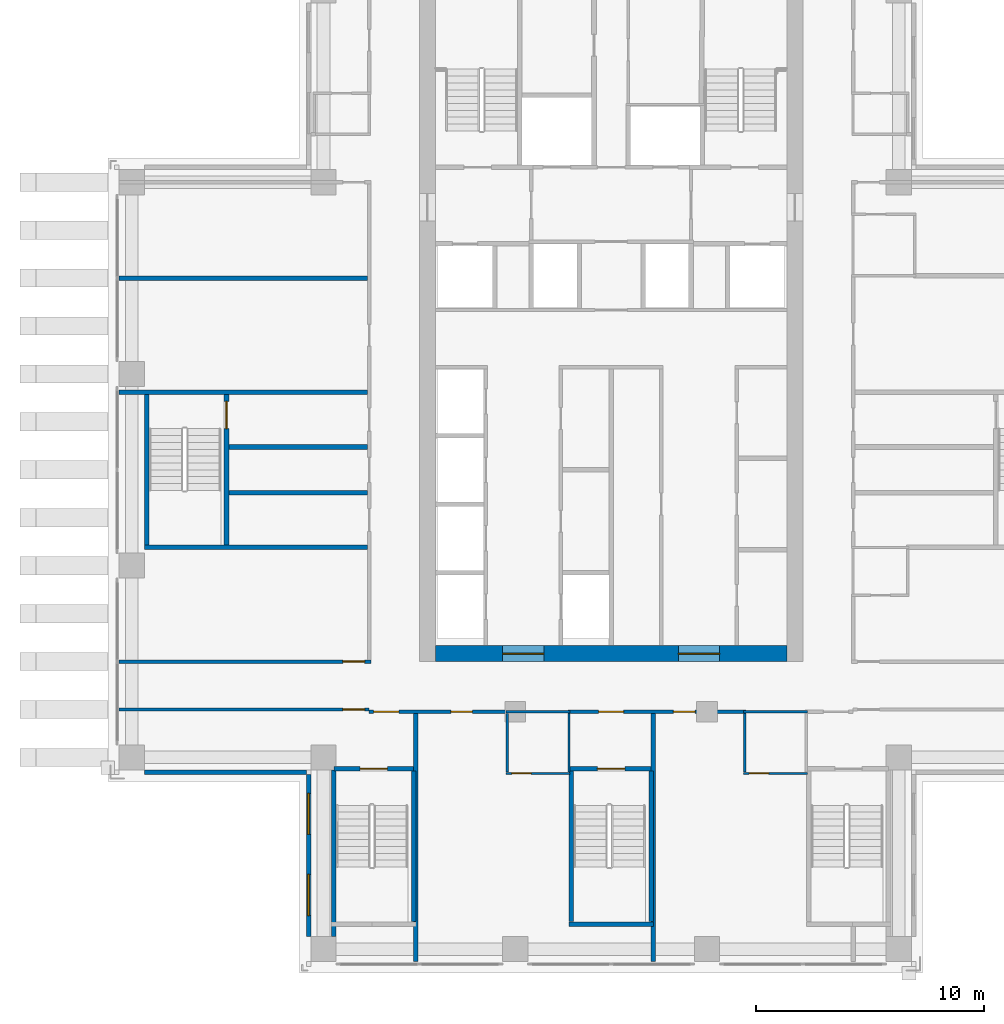
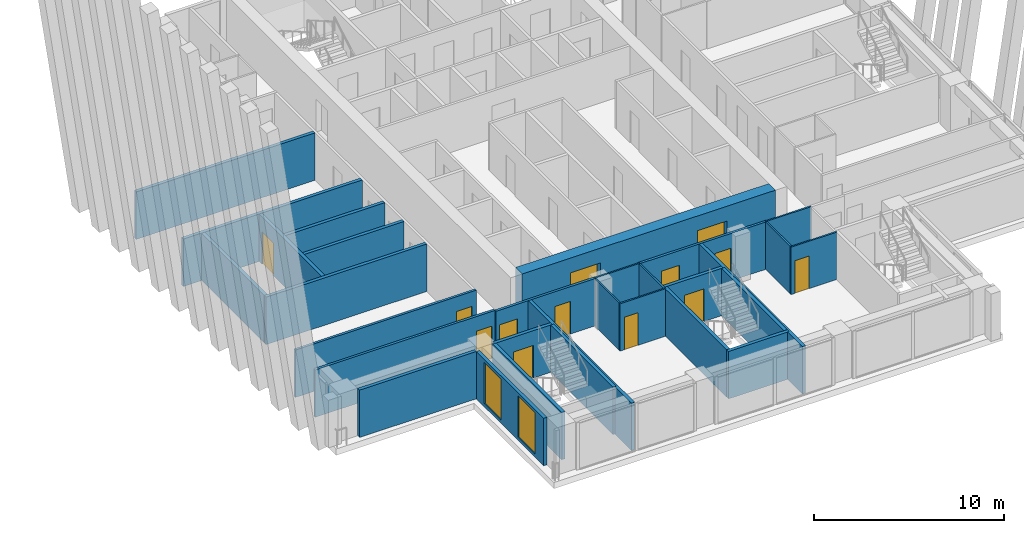
# One storey, part 8 of 15: 30 walls, 13 doors, 2 windows, 15 openings.
"""IFC4 building model written with IfcOpenShell, lengths in metres."""

import ifcopenshell
import ifcopenshell.guid

model = None  # the IFC model being written
_history = None  # IfcOwnerHistory: only IFC2X3 demands one
_inside = {}  # id of a spatial element -> (the spatial element, [elements in it])
_under = {}  # id of a project, library or spatial element -> (it, [spatial elements below it])
_declared = {}  # id of a project -> (the project, [libraries it declares])
_typed = {}  # id of a type object -> (the type object, [elements of that type])
_made_of = {}  # id of a material, layer set ... -> (it, [elements and type objects made of it])


def new_model(schema):
    """Start an empty IFC model of exactly this schema.

    Asked for "IFC4X3", IfcOpenShell would pick the latest addendum, in which some entities
    have other attributes; the version numbers below select the first issue.
    IFC2X3 requires an IfcOwnerHistory on every rooted entity: one is made here for all.
    """
    global model, _history
    if schema == "IFC4X3":
        model = ifcopenshell.file(schema_version=(4, 3, 0, 0))
    else:
        model = ifcopenshell.file(schema=schema)
    _inside.clear()
    _under.clear()
    _declared.clear()
    _typed.clear()
    _made_of.clear()
    _history = None
    if model.schema == "IFC2X3":
        org = make("IfcOrganization", Name="unknown")
        user = make(
            "IfcPersonAndOrganization",
            ThePerson=make("IfcPerson", FamilyName="unknown"),
            TheOrganization=org,
        )
        app = make(
            "IfcApplication",
            ApplicationDeveloper=org,
            Version="unknown",
            ApplicationFullName="unknown",
            ApplicationIdentifier="unknown",
        )
        _history = make(
            "IfcOwnerHistory",
            OwningUser=user,
            OwningApplication=app,
            ChangeAction="ADDED",
            CreationDate=0,
        )
    return model


def make(cls, **values):
    """One entity of the class cls with the attributes given. An attribute that is None is left unset."""
    return model.create_entity(
        cls, **{name: value for name, value in values.items() if value is not None}
    )


def rooted(cls, **values):
    """An entity with a GlobalId (a new one), such as an element, a storey or a relation."""
    return make(cls, GlobalId=ifcopenshell.guid.new(), OwnerHistory=_history, **values)


def si_unit(unit_type, name, prefix=None):
    """IfcSIUnit, for example si_unit("LENGTHUNIT", "METRE", prefix="MILLI")."""
    return make("IfcSIUnit", UnitType=unit_type, Prefix=prefix, Name=name)


def assignment(units):
    """IfcUnitAssignment: the units of a project."""
    return None if units is None else make("IfcUnitAssignment", Units=units)


def point(xyz):
    """IfcCartesianPoint."""
    return None if xyz is None else make("IfcCartesianPoint", Coordinates=xyz)


def direction(xyz):
    """IfcDirection."""
    return None if xyz is None else make("IfcDirection", DirectionRatios=xyz)


def frame(location, z_axis=None, x_axis=None):
    """IfcAxis2Placement3D, a coordinate frame: its origin and axes. An axis left out is left unset."""
    return make(
        "IfcAxis2Placement3D",
        Location=point(location),
        Axis=direction(z_axis),
        RefDirection=direction(x_axis),
    )


def frame_2d(location, x_axis=None):
    """IfcAxis2Placement2D, a coordinate frame in the plane: its origin and x axis."""
    return make(
        "IfcAxis2Placement2D", Location=point(location), RefDirection=direction(x_axis)
    )


def origin():
    """The frame at (0, 0, 0) with its axes left unset."""
    return frame((0.0, 0.0, 0.0))


def place(relative_to, where):
    """IfcLocalPlacement: puts the frame where relative to a parent placement (None: the world)."""
    return make(
        "IfcLocalPlacement", PlacementRelTo=relative_to, RelativePlacement=where
    )


def context(
    kind, dimensions, precision=None, world=None, true_north=None, identifier=None
):
    """IfcGeometricRepresentationContext, for example the 3D "Model" context."""
    return make(
        "IfcGeometricRepresentationContext",
        ContextIdentifier=identifier,
        ContextType=kind,
        CoordinateSpaceDimension=dimensions,
        Precision=precision,
        WorldCoordinateSystem=world,
        TrueNorth=true_north,
    )


def subcontext(parent, identifier, kind, view, scale=None):
    """IfcGeometricRepresentationSubContext, for example "Body" below "Model"."""
    return make(
        "IfcGeometricRepresentationSubContext",
        ContextIdentifier=identifier,
        ContextType=kind,
        ParentContext=parent,
        TargetScale=scale,
        TargetView=view,
    )


def project(units=None, contexts=None):
    """IfcProject with its units and contexts."""
    return rooted(
        "IfcProject",
        Name="project",
        RepresentationContexts=contexts,
        UnitsInContext=assignment(units),
    )


def spatial(cls, under=None, at=None, **own):
    """A site, building, storey or space (cls), placed at a placement, below another one or the project."""
    s = rooted(cls, ObjectPlacement=at, **own)
    if under is not None:
        _under.setdefault(under.id(), (under, []))[1].append(s)
    return s


def profile(cls, at=None, kind="AREA", **sizes):
    """A parametric profile (cls). Its sizes go by their IFC names, for example OverallWidth=200.0."""
    return make(cls, ProfileType=kind, Position=at, **sizes)


def rectangle(**sizes):
    """IfcRectangleProfileDef."""
    return profile("IfcRectangleProfileDef", **sizes)


def extrude(swept, where, along, depth):
    """IfcExtrudedAreaSolid: the profile swept, set in the frame where, extruded along a direction by depth."""
    return make(
        "IfcExtrudedAreaSolid",
        SweptArea=swept,
        Position=where,
        ExtrudedDirection=direction(along),
        Depth=depth,
    )


def shape(context_of_items, identifier, shape_type, items):
    """IfcShapeRepresentation: the items that make up one representation, for example the "Body"."""
    return make(
        "IfcShapeRepresentation",
        ContextOfItems=context_of_items,
        RepresentationIdentifier=identifier,
        RepresentationType=shape_type,
        Items=items,
    )


def material(Name=None, Category=None):
    """IfcMaterial."""
    return make("IfcMaterial", Name=Name, Category=Category)


def layer(
    of_material, thickness, ventilated=None, Name=None, Category=None, Priority=None
):
    """IfcMaterialLayer: one layer of a wall or slab, of a material (None: an air gap)."""
    return make(
        "IfcMaterialLayer",
        Material=of_material,
        LayerThickness=thickness,
        IsVentilated=ventilated,
        Name=Name,
        Category=Category,
        Priority=Priority,
    )


def layer_set(layers, Name=None):
    """IfcMaterialLayerSet."""
    return make("IfcMaterialLayerSet", MaterialLayers=layers, LayerSetName=Name)


def made_of(thing, what):
    """Note that an element or type object is made of a material, layer set ...; save() writes the relation."""
    if what is not None:
        _made_of.setdefault(what.id(), (what, []))[1].append(thing)
    return thing


def type_object(cls, material=None, **own):
    """A type object (cls), such as IfcWallType, which elements share."""
    return made_of(rooted(cls, **own), material)


def element(
    cls,
    number,
    at=None,
    inside=None,
    cuts=None,
    type_object=None,
    material=None,
    context=None,
    identifier="Body",
    shape_type=None,
    held_by="IfcProductDefinitionShape",
    body=None,
    shapes=None,
    **own,
):
    """One element of the class cls, such as IfcWall. Its Tag is "e" and its number.

    at: its placement. inside: the storey or other place that contains it. cuts: it is an
    opening in that element (IfcRelVoidsElement). A single representation is given by context,
    identifier, shape_type and body (its items); several are given by shapes. held_by: the class
    of the entity that holds the representations. save() writes the other relations.
    """
    e = rooted(cls, Tag="e%d" % number, ObjectPlacement=at, **own)
    if body is not None:
        shapes = [shape(context, identifier, shape_type, body)]
    if shapes is not None:
        e.Representation = make(held_by, Representations=shapes)
    if inside is not None:
        _inside.setdefault(inside.id(), (inside, []))[1].append(e)
    if cuts is not None:
        rooted(
            "IfcRelVoidsElement", RelatingBuildingElement=cuts, RelatedOpeningElement=e
        )
    if type_object is not None:
        _typed.setdefault(type_object.id(), (type_object, []))[1].append(e)
    return made_of(e, material)


def fill(opening, filler):
    """IfcRelFillsElement: the door or window that sits in an opening."""
    return rooted(
        "IfcRelFillsElement",
        RelatingOpeningElement=opening,
        RelatedBuildingElement=filler,
    )


def aggregate(whole, parts):
    """IfcRelAggregates: a whole, such as a stair, and the parts it consists of."""
    return rooted("IfcRelAggregates", RelatingObject=whole, RelatedObjects=parts)


def save(model, path):
    """Write the relations noted so far, then the file.

    IfcRelAggregates (storeys below a building ...), IfcRelContainedInSpatialStructure (elements
    in a storey), IfcRelDefinesByType, IfcRelAssociatesMaterial and IfcRelDeclares: one each for
    every whole, place, type object, material and project.
    """
    for whole, parts in _under.values():
        aggregate(whole, parts)
    for where, things in _inside.values():
        rooted(
            "IfcRelContainedInSpatialStructure",
            RelatedElements=things,
            RelatingStructure=where,
        )
    for kind, things in _typed.values():
        rooted("IfcRelDefinesByType", RelatedObjects=things, RelatingType=kind)
    for what, things in _made_of.values():
        rooted("IfcRelAssociatesMaterial", RelatedObjects=things, RelatingMaterial=what)
    for by, libraries in _declared.values():
        rooted("IfcRelDeclares", RelatingContext=by, RelatedDefinitions=libraries)
    model.write(path)


model = new_model("IFC4")

# Units and contexts
model_context = context("Model", 3, precision=1e-05, world=origin(), true_north=direction((0.0, 1.0)))
body_context = subcontext(model_context, "Body", "Model", "MODEL_VIEW")
ifc_project = project(units=[si_unit("LENGTHUNIT", "METRE"), si_unit("AREAUNIT", "SQUARE_METRE"), si_unit("VOLUMEUNIT", "CUBIC_METRE"), si_unit("PLANEANGLEUNIT", "RADIAN"), si_unit("MASSUNIT", "GRAM", prefix="KILO")], contexts=[model_context])

# Site, building, storey
site_placement = place(None, origin())
site = spatial("IfcSite", under=ifc_project, at=site_placement, CompositionType="ELEMENT")
building_placement = place(site_placement, origin())
building = spatial("IfcBuilding", under=site, at=building_placement, Name="Vermilion Ogive Tower", CompositionType="ELEMENT")
storey_placement = place(building_placement, frame((0.0, 0.0, 153.800048828125)))
storey = spatial("IfcBuildingStorey", under=building, at=storey_placement, Name="L39", CompositionType="ELEMENT", Elevation=153.800048828125)

# Wall, openings, doors
ifc_material_1 = material(Name="Concrete B60", Category="concrete")
ifc_layer_1 = layer(ifc_material_1, 0.699951171875)
ifc_layer_set_1 = layer_set([ifc_layer_1], Name="Core wall 700 B60")
wall_type_1 = type_object("IfcWallType", Name="Core wall 700 B60", PredefinedType="SHEAR", material=ifc_layer_set_1)
wall_1_placement = place(storey_placement, frame((-7.699951171875, -8.050048828125, -0.400146484375), z_axis=(0.0, 0.0, 1.0), x_axis=(1.0, 0.0, 0.0)))
wall_1 = element("IfcWall", 1, at=wall_1_placement, inside=storey, type_object=wall_type_1, Name="L39-CORE-S", PredefinedType="SHEAR", context=body_context, shape_type="SweptSolid", body=[
    extrude(rectangle(XDim=15.39990234375, YDim=0.699951171875, at=frame_2d((7.699951171875, 0.0))), origin(), (0.0, 0.0, 1.0), 3.4501953125),
])
opening_1_placement = place(wall_1_placement, frame((2.949951171875, 0.0, 0.39990234375)))
opening_1 = element("IfcOpeningElement", 2, at=opening_1_placement, cuts=wall_1, Name="Opening DAH029", PredefinedType="OPENING", context=body_context, shape_type="SweptSolid", body=[
    extrude(rectangle(XDim=1.800048828125, YDim=2.10009765625, at=frame_2d((0.89990234375, 1.050048828125))), frame((0.0, 0.35986328125, 0.0), z_axis=(0.0, -1.0, 0.0), x_axis=(1.0, 0.0, 0.0)), (0.0, 0.0, 1.0), 0.719970703125),
])
opening_2_placement = place(wall_1_placement, frame((10.64990234375, 0.0, 0.39990234375)))
opening_2 = element("IfcOpeningElement", 3, at=opening_2_placement, cuts=wall_1, Name="Opening DAH030", PredefinedType="OPENING", context=body_context, shape_type="SweptSolid", body=[
    extrude(rectangle(XDim=1.800048828125, YDim=2.10009765625, at=frame_2d((0.89990234375, 1.050048828125))), frame((0.0, 0.35986328125, 0.0), z_axis=(0.0, -1.0, 0.0), x_axis=(1.0, 0.0, 0.0)), (0.0, 0.0, 1.0), 0.719970703125),
])
ifc_material_2 = material(Name="Timber door leaf", Category="wood")
door_type_1 = type_object("IfcDoorType", Name="Core entry door 1800 x 2100 FD60S", OperationType="DOUBLE_DOOR_SINGLE_SWING", PredefinedType="DOOR", material=ifc_material_2)
door_1_placement = place(opening_1_placement, origin())
door_1 = element("IfcDoor", 4, at=door_1_placement, inside=storey, type_object=door_type_1, Name="L39-CK-XD1", OperationType="SINGLE_SWING_LEFT", OverallHeight=2.10009765625, OverallWidth=1.800048828125, PredefinedType="DOOR", context=body_context, shape_type="SweptSolid", body=[
    extrude(rectangle(XDim=1.800048828125, YDim=2.10009765625, at=frame_2d((0.89990234375, 1.050048828125))), frame((0.0, 0.02490234375, 0.0), z_axis=(0.0, -1.0, 0.0), x_axis=(1.0, 0.0, 0.0)), (0.0, 0.0, 1.0), 0.050048828125),
])
fill(opening_1, door_1)
door_2_placement = place(opening_2_placement, origin())
door_2 = element("IfcDoor", 5, at=door_2_placement, inside=storey, type_object=door_type_1, Name="L39-CK-XD2", OperationType="SINGLE_SWING_LEFT", OverallHeight=2.10009765625, OverallWidth=1.800048828125, PredefinedType="DOOR", context=body_context, shape_type="SweptSolid", body=[
    extrude(rectangle(XDim=1.800048828125, YDim=2.10009765625, at=frame_2d((0.89990234375, 1.050048828125))), frame((0.0, 0.02490234375, 0.0), z_axis=(0.0, -1.0, 0.0), x_axis=(1.0, 0.0, 0.0)), (0.0, 0.0, 1.0), 0.050048828125),
])
fill(opening_2, door_2)

# Wall, opening, door
ifc_material_3 = material(Name="Gypsum board partition on steel studs", Category="steel")
ifc_layer_2 = layer(ifc_material_3, 0.10009765625)
ifc_layer_set_2 = layer_set([ifc_layer_2], Name="Partition 100 bath")
wall_type_2 = type_object("IfcWallType", Name="Partition 100 bath", PredefinedType="PARTITIONING", material=ifc_layer_set_2)
wall_2_placement = place(storey_placement, frame((-4.597900390625, -13.300048828125, 0.0), z_axis=(0.0, 0.0, 1.0), x_axis=(1.0, 0.0, 0.0)))
wall_2 = element("IfcWall", 6, at=wall_2_placement, inside=storey, type_object=wall_type_2, Name="L39-W-W004", PredefinedType="PARTITIONING", context=body_context, shape_type="SweptSolid", body=[
    extrude(rectangle(XDim=2.7958984375, YDim=0.10009765625, at=frame_2d((1.39794921875, 0.0))), origin(), (0.0, 0.0, 1.0), 3.050048828125),
])
opening_3_placement = place(wall_2_placement, frame((0.247802734375, 0.0, 0.0)))
opening_3 = element("IfcOpeningElement", 7, at=opening_3_placement, cuts=wall_2, Name="Opening D3G3008", PredefinedType="OPENING", context=body_context, shape_type="SweptSolid", body=[
    extrude(rectangle(XDim=0.85009765625, YDim=2.10009765625, at=frame_2d((0.425048828125, 1.050048828125))), frame((0.0, 0.06005859375, 0.0), z_axis=(0.0, -1.0, 0.0), x_axis=(1.0, 0.0, 0.0)), (0.0, 0.0, 1.0), 0.1201171875),
])
ifc_material_4 = material(Name="Timber door leaf", Category="wood")
door_type_2 = type_object("IfcDoorType", Name="Bath door 850 x 2100 FD30", OperationType="SINGLE_SWING_LEFT", PredefinedType="DOOR", material=ifc_material_4)
door_3_placement = place(opening_3_placement, origin())
door_3 = element("IfcDoor", 8, at=door_3_placement, inside=storey, type_object=door_type_2, Name="L39-D-D008", OperationType="SINGLE_SWING_LEFT", OverallHeight=2.10009765625, OverallWidth=0.85009765625, PredefinedType="DOOR", context=body_context, shape_type="SweptSolid", body=[
    extrude(rectangle(XDim=0.85009765625, YDim=2.10009765625, at=frame_2d((0.425048828125, 1.050048828125))), frame((0.0, 0.02490234375, 0.0), z_axis=(0.0, -1.0, 0.0), x_axis=(1.0, 0.0, 0.0)), (0.0, 0.0, 1.0), 0.050048828125),
])
fill(opening_3, door_3)

wall_3_placement = place(storey_placement, frame((5.802001953125, -13.300048828125, 0.0), z_axis=(0.0, 0.0, 1.0), x_axis=(1.0, 0.0, 0.0)))
wall_3 = element("IfcWall", 9, at=wall_3_placement, inside=storey, type_object=wall_type_2, Name="L39-W-W005", PredefinedType="PARTITIONING", context=body_context, shape_type="SweptSolid", body=[
    extrude(rectangle(XDim=2.7958984375, YDim=0.10009765625, at=frame_2d((1.39794921875, 0.0))), origin(), (0.0, 0.0, 1.0), 3.050048828125),
])
opening_4_placement = place(wall_3_placement, frame((0.248046875, 0.0, 0.0)))
opening_4 = element("IfcOpeningElement", 10, at=opening_4_placement, cuts=wall_3, Name="Opening D3G3010", PredefinedType="OPENING", context=body_context, shape_type="SweptSolid", body=[
    extrude(rectangle(XDim=0.85009765625, YDim=2.10009765625, at=frame_2d((0.425048828125, 1.050048828125))), frame((0.0, 0.06005859375, 0.0), z_axis=(0.0, -1.0, 0.0), x_axis=(1.0, 0.0, 0.0)), (0.0, 0.0, 1.0), 0.1201171875),
])
door_4_placement = place(opening_4_placement, origin())
door_4 = element("IfcDoor", 11, at=door_4_placement, inside=storey, type_object=door_type_2, Name="L39-D-D010", OperationType="SINGLE_SWING_LEFT", OverallHeight=2.10009765625, OverallWidth=0.85009765625, PredefinedType="DOOR", context=body_context, shape_type="SweptSolid", body=[
    extrude(rectangle(XDim=0.85009765625, YDim=2.10009765625, at=frame_2d((0.425048828125, 1.050048828125))), frame((0.0, 0.02490234375, 0.0), z_axis=(0.0, -1.0, 0.0), x_axis=(1.0, 0.0, 0.0)), (0.0, 0.0, 1.0), 0.050048828125),
])
fill(opening_4, door_4)

# Walls
for number, where, z_axis, x_axis, name in (
    (12, (-4.60009765625, -10.60009765625, 0.0), (0.0, 0.0, 1.0), (1.0, 0.0, 0.0), "L39-W-W010"),
    (13, (5.800048828125, -10.60009765625, 0.0), (0.0, 0.0, 1.0), (1.0, 0.0, 0.0), "L39-W-W012"),
):
    element("IfcWall", number, at=place(storey_placement, frame(where, z_axis=z_axis, x_axis=x_axis)), inside=storey, type_object=wall_type_2, Name=name, PredefinedType="PARTITIONING", context=body_context, shape_type="SweptSolid", body=[
        extrude(rectangle(XDim=2.800048828125, YDim=0.10009765625, at=frame_2d((1.39990234375, 0.0))), origin(), (0.0, 0.0, 1.0), 3.050048828125),
    ])
for number, where, z_axis, x_axis, name in (
    (14, (-4.550048828125, -13.248046875, 0.0), (0.0, 0.0, 1.0), (0.0, 1.0, 0.0), "L39-W-W048"),
    (15, (-1.85009765625, -13.248046875, 0.0), (0.0, 0.0, 1.0), (0.0, 1.0, 0.0), "L39-W-W049"),
    (16, (5.85009765625, -13.248046875, 0.0), (0.0, 0.0, 1.0), (0.0, 1.0, 0.0), "L39-W-W053"),
):
    element("IfcWall", number, at=place(storey_placement, frame(where, z_axis=z_axis, x_axis=x_axis)), inside=storey, type_object=wall_type_2, Name=name, PredefinedType="PARTITIONING", context=body_context, shape_type="SweptSolid", body=[
        extrude(rectangle(XDim=2.572998046875, YDim=0.10009765625, at=frame_2d((1.28662109375, 0.0))), origin(), (0.0, 0.0, 1.0), 3.050048828125),
    ])

# Wall, openings, doors
ifc_material_5 = material(Name="Gypsum board partition on steel studs", Category="steel")
ifc_layer_3 = layer(ifc_material_5, 0.14990234375)
ifc_layer_set_3 = layer_set([ifc_layer_3], Name="Partition 150 corridor")
wall_type_3 = type_object("IfcWallType", Name="Partition 150 corridor", PredefinedType="PARTITIONING", material=ifc_layer_set_3)
wall_4_placement = place(storey_placement, frame((-10.60009765625, -10.60009765625, 0.0), z_axis=(0.0, 0.0, 1.0), x_axis=(1.0, 0.0, 0.0)))
wall_4 = element("IfcWall", 17, at=wall_4_placement, inside=storey, type_object=wall_type_3, Name="L39-W-W009", PredefinedType="PARTITIONING", context=body_context, shape_type="SweptSolid", body=[
    extrude(rectangle(XDim=6.10009765625, YDim=0.14990234375, at=frame_2d((3.050048828125, 0.0))), origin(), (0.0, 0.0, 1.0), 3.050048828125),
])
opening_5_placement = place(wall_4_placement, frame((3.5751953125, 0.0, 0.0)))
opening_5 = element("IfcOpeningElement", 18, at=opening_5_placement, cuts=wall_4, Name="Opening D3G3007", PredefinedType="OPENING", context=body_context, shape_type="SweptSolid", body=[
    extrude(rectangle(XDim=0.949951171875, YDim=2.10009765625, at=frame_2d((0.47509765625, 1.050048828125))), frame((0.0, 0.0849609375, 0.0), z_axis=(0.0, -1.0, 0.0), x_axis=(1.0, 0.0, 0.0)), (0.0, 0.0, 1.0), 0.169921875),
])
opening_6_placement = place(wall_4_placement, frame((0.2001953125, 0.0, 0.0)))
opening_6 = element("IfcOpeningElement", 19, at=opening_6_placement, cuts=wall_4, Name="Opening D3G3019", PredefinedType="OPENING", context=body_context, shape_type="SweptSolid", body=[
    extrude(rectangle(XDim=1.10009765625, YDim=2.10009765625, at=frame_2d((0.550048828125, 1.050048828125))), frame((0.0, 0.0849609375, 0.0), z_axis=(0.0, -1.0, 0.0), x_axis=(1.0, 0.0, 0.0)), (0.0, 0.0, 1.0), 0.169921875),
])
ifc_material_6 = material(Name="Timber door leaf", Category="wood")
door_type_3 = type_object("IfcDoorType", Name="Stair door 1100 x 2100 FD60S", OperationType="SINGLE_SWING_LEFT", PredefinedType="DOOR", material=ifc_material_6)
door_5_placement = place(opening_6_placement, origin())
door_5 = element("IfcDoor", 20, at=door_5_placement, inside=storey, type_object=door_type_3, Name="L39-D-D019", OperationType="SINGLE_SWING_RIGHT", OverallHeight=2.10009765625, OverallWidth=1.10009765625, PredefinedType="DOOR", context=body_context, shape_type="SweptSolid", body=[
    extrude(rectangle(XDim=1.10009765625, YDim=2.10009765625, at=frame_2d((0.550048828125, 1.050048828125))), frame((0.0, 0.02490234375, 0.0), z_axis=(0.0, -1.0, 0.0), x_axis=(1.0, 0.0, 0.0)), (0.0, 0.0, 1.0), 0.050048828125),
])
fill(opening_6, door_5)
ifc_material_7 = material(Name="Timber door leaf", Category="wood")
door_type_4 = type_object("IfcDoorType", Name="Unit door 950 x 2100 FD30S", OperationType="SINGLE_SWING_LEFT", PredefinedType="DOOR", material=ifc_material_7)
door_6_placement = place(opening_5_placement, origin())
door_6 = element("IfcDoor", 21, at=door_6_placement, inside=storey, type_object=door_type_4, Name="L39-D-D007", OperationType="SINGLE_SWING_RIGHT", OverallHeight=2.10009765625, OverallWidth=0.949951171875, PredefinedType="DOOR", context=body_context, shape_type="SweptSolid", body=[
    extrude(rectangle(XDim=0.949951171875, YDim=2.10009765625, at=frame_2d((0.47509765625, 1.050048828125))), frame((0.0, 0.02490234375, 0.0), z_axis=(0.0, -1.0, 0.0), x_axis=(1.0, 0.0, 0.0)), (0.0, 0.0, 1.0), 0.050048828125),
])
fill(opening_5, door_6)

wall_5_placement = place(storey_placement, frame((-1.89990234375, -10.60009765625, 0.0), z_axis=(0.0, 0.0, 1.0), x_axis=(1.0, 0.0, 0.0)))
wall_5 = element("IfcWall", 22, at=wall_5_placement, inside=storey, type_object=wall_type_3, Name="L39-W-W011", PredefinedType="PARTITIONING", context=body_context, shape_type="SweptSolid", body=[
    extrude(rectangle(XDim=7.7998046875, YDim=0.14990234375, at=frame_2d((3.89990234375, 0.0))), origin(), (0.0, 0.0, 1.0), 3.050048828125),
])
opening_7_placement = place(wall_5_placement, frame((4.625, 0.0, 0.0)))
opening_7 = element("IfcOpeningElement", 23, at=opening_7_placement, cuts=wall_5, Name="Opening D3G3009", PredefinedType="OPENING", context=body_context, shape_type="SweptSolid", body=[
    extrude(rectangle(XDim=0.949951171875, YDim=2.10009765625, at=frame_2d((0.47509765625, 1.050048828125))), frame((0.0, 0.0849609375, 0.0), z_axis=(0.0, -1.0, 0.0), x_axis=(1.0, 0.0, 0.0)), (0.0, 0.0, 1.0), 0.169921875),
])
opening_8_placement = place(wall_5_placement, frame((1.349853515625, 0.0, 0.0)))
opening_8 = element("IfcOpeningElement", 24, at=opening_8_placement, cuts=wall_5, Name="Opening D3G3021", PredefinedType="OPENING", context=body_context, shape_type="SweptSolid", body=[
    extrude(rectangle(XDim=1.10009765625, YDim=2.10009765625, at=frame_2d((0.550048828125, 1.050048828125))), frame((0.0, 0.0849609375, 0.0), z_axis=(0.0, -1.0, 0.0), x_axis=(1.0, 0.0, 0.0)), (0.0, 0.0, 1.0), 0.169921875),
])
door_7_placement = place(opening_8_placement, origin())
door_7 = element("IfcDoor", 25, at=door_7_placement, inside=storey, type_object=door_type_3, Name="L39-D-D021", OperationType="SINGLE_SWING_RIGHT", OverallHeight=2.10009765625, OverallWidth=1.10009765625, PredefinedType="DOOR", context=body_context, shape_type="SweptSolid", body=[
    extrude(rectangle(XDim=1.10009765625, YDim=2.10009765625, at=frame_2d((0.550048828125, 1.050048828125))), frame((0.0, 0.02490234375, 0.0), z_axis=(0.0, -1.0, 0.0), x_axis=(1.0, 0.0, 0.0)), (0.0, 0.0, 1.0), 0.050048828125),
])
fill(opening_8, door_7)
door_8_placement = place(opening_7_placement, origin())
door_8 = element("IfcDoor", 26, at=door_8_placement, inside=storey, type_object=door_type_4, Name="L39-D-D009", OperationType="SINGLE_SWING_RIGHT", OverallHeight=2.10009765625, OverallWidth=0.949951171875, PredefinedType="DOOR", context=body_context, shape_type="SweptSolid", body=[
    extrude(rectangle(XDim=0.949951171875, YDim=2.10009765625, at=frame_2d((0.47509765625, 1.050048828125))), frame((0.0, 0.02490234375, 0.0), z_axis=(0.0, -1.0, 0.0), x_axis=(1.0, 0.0, 0.0)), (0.0, 0.0, 1.0), 0.050048828125),
])
fill(opening_7, door_8)

# Wall, opening, door
wall_6_placement = place(storey_placement, frame((-21.550048828125, -10.5, 0.0), z_axis=(0.0, 0.0, 1.0), x_axis=(1.0, 0.0, 0.0)))
wall_6 = element("IfcWall", 27, at=wall_6_placement, inside=storey, type_object=wall_type_3, Name="L39-W-W014", PredefinedType="PARTITIONING", context=body_context, shape_type="SweptSolid", body=[
    extrude(rectangle(XDim=10.949951171875, YDim=0.14990234375, at=frame_2d((5.47509765625, 0.0))), origin(), (0.0, 0.0, 1.0), 3.050048828125),
])
opening_9_placement = place(wall_6_placement, frame((9.800048828125, 0.0, 0.0)))
opening_9 = element("IfcOpeningElement", 28, at=opening_9_placement, cuts=wall_6, Name="Opening D3G3001", PredefinedType="OPENING", context=body_context, shape_type="SweptSolid", body=[
    extrude(rectangle(XDim=0.949951171875, YDim=2.10009765625, at=frame_2d((0.47509765625, 1.050048828125))), frame((0.0, 0.0849609375, 0.0), z_axis=(0.0, -1.0, 0.0), x_axis=(1.0, 0.0, 0.0)), (0.0, 0.0, 1.0), 0.169921875),
])
door_9_placement = place(opening_9_placement, origin())
door_9 = element("IfcDoor", 29, at=door_9_placement, inside=storey, type_object=door_type_4, Name="L39-D-D001", OperationType="SINGLE_SWING_RIGHT", OverallHeight=2.10009765625, OverallWidth=0.949951171875, PredefinedType="DOOR", context=body_context, shape_type="SweptSolid", body=[
    extrude(rectangle(XDim=0.949951171875, YDim=2.10009765625, at=frame_2d((0.47509765625, 1.050048828125))), frame((0.0, 0.02490234375, 0.0), z_axis=(0.0, -1.0, 0.0), x_axis=(1.0, 0.0, 0.0)), (0.0, 0.0, 1.0), 0.050048828125),
])
fill(opening_9, door_9)

wall_7_placement = place(storey_placement, frame((-21.550048828125, -8.39990234375, 0.0), z_axis=(0.0, 0.0, 1.0), x_axis=(1.0, 0.0, 0.0)))
wall_7 = element("IfcWall", 30, at=wall_7_placement, inside=storey, type_object=wall_type_3, Name="L39-W-W016", PredefinedType="PARTITIONING", context=body_context, shape_type="SweptSolid", body=[
    extrude(rectangle(XDim=11.025146484375, YDim=0.14990234375, at=frame_2d((5.5126953125, 0.0))), origin(), (0.0, 0.0, 1.0), 3.050048828125),
])
opening_10_placement = place(wall_7_placement, frame((9.800048828125, 0.0, 0.0)))
opening_10 = element("IfcOpeningElement", 31, at=opening_10_placement, cuts=wall_7, Name="Opening D3G3002", PredefinedType="OPENING", context=body_context, shape_type="SweptSolid", body=[
    extrude(rectangle(XDim=0.949951171875, YDim=2.10009765625, at=frame_2d((0.47509765625, 1.050048828125))), frame((0.0, 0.0849609375, 0.0), z_axis=(0.0, -1.0, 0.0), x_axis=(1.0, 0.0, 0.0)), (0.0, 0.0, 1.0), 0.169921875),
])
door_10_placement = place(opening_10_placement, origin())
door_10 = element("IfcDoor", 32, at=door_10_placement, inside=storey, type_object=door_type_4, Name="L39-D-D002", OperationType="SINGLE_SWING_LEFT", OverallHeight=2.10009765625, OverallWidth=0.949951171875, PredefinedType="DOOR", context=body_context, shape_type="SweptSolid", body=[
    extrude(rectangle(XDim=0.949951171875, YDim=2.10009765625, at=frame_2d((0.47509765625, 1.050048828125))), frame((0.0, 0.02490234375, 0.0), z_axis=(0.0, -1.0, 0.0), x_axis=(1.0, 0.0, 0.0)), (0.0, 0.0, 1.0), 0.050048828125),
])
fill(opening_10, door_10)

# Walls
ifc_material_8 = material(Name="Gypsum board partition on steel studs", Category="steel")
ifc_layer_4 = layer(ifc_material_8, 0.199951171875)
ifc_layer_set_4 = layer_set([ifc_layer_4], Name="Partition 200 party")
wall_type_4 = type_object("IfcWallType", Name="Partition 200 party", PredefinedType="PARTITIONING", material=ifc_layer_set_4)
for number, where, z_axis, x_axis, name in (
    (33, (-16.75, -1.0, 0.0), (0.0, 0.0, 1.0), (1.0, 0.0, 0.0), "L39-W-W022"),
    (34, (-16.75, 1.0, 0.0), (0.0, 0.0, 1.0), (1.0, 0.0, 0.0), "L39-W-W024"),
):
    element("IfcWall", number, at=place(storey_placement, frame(where, z_axis=z_axis, x_axis=x_axis)), inside=storey, type_object=wall_type_4, Name=name, PredefinedType="PARTITIONING", context=body_context, shape_type="SweptSolid", body=[
        extrude(rectangle(XDim=6.074951171875, YDim=0.199951171875, at=frame_2d((3.03759765625, 0.0))), origin(), (0.0, 0.0, 1.0), 3.050048828125),
    ])
wall_8_placement = place(storey_placement, frame((-21.550048828125, 8.389892578125, 0.0), z_axis=(0.0, 0.0, 1.0), x_axis=(1.0, 0.0, 0.0)))
element("IfcWall", 35, at=wall_8_placement, inside=storey, type_object=wall_type_4, Name="L39-W-W028", PredefinedType="PARTITIONING", context=body_context, shape_type="SweptSolid", body=[
    extrude(rectangle(XDim=10.875, YDim=0.199951171875, at=frame_2d((5.4375, 0.0))), origin(), (0.0, 0.0, 1.0), 3.050048828125),
])
ifc_material_9 = material(Name="Concrete B60", Category="concrete")
ifc_layer_5 = layer(ifc_material_9, 0.199951171875)
ifc_layer_set_5 = layer_set([ifc_layer_5], Name="Stair shaft wall 200 Concrete B60")
wall_type_5 = type_object("IfcWallType", Name="Stair shaft wall 200 Concrete B60", PredefinedType="SOLIDWALL", material=ifc_layer_set_5)
wall_9_placement = place(storey_placement, frame((-1.847900390625, -19.89990234375, 0.0), z_axis=(0.0, 0.0, 1.0), x_axis=(1.0, 0.0, 0.0)))
element("IfcWall", 36, at=wall_9_placement, inside=storey, type_object=wall_type_5, Name="L39-W-W002", PredefinedType="SOLIDWALL", context=body_context, shape_type="SweptSolid", body=[
    extrude(rectangle(XDim=3.69580078125, YDim=0.199951171875, at=frame_2d((1.847900390625, 0.0))), origin(), (0.0, 0.0, 1.0), 3.050048828125),
])

# Wall, opening, door
wall_10_placement = place(storey_placement, frame((-12.14990234375, -13.10009765625, 0.0), z_axis=(0.0, 0.0, 1.0), x_axis=(1.0, 0.0, 0.0)))
wall_10 = element("IfcWall", 37, at=wall_10_placement, inside=storey, type_object=wall_type_5, Name="L39-W-W006", PredefinedType="SOLIDWALL", context=body_context, shape_type="SweptSolid", body=[
    extrude(rectangle(XDim=3.497802734375, YDim=0.199951171875, at=frame_2d((1.7490234375, 0.0))), origin(), (0.0, 0.0, 1.0), 3.050048828125),
])
opening_11_placement = place(wall_10_placement, frame((1.14990234375, 0.0, 0.0)))
opening_11 = element("IfcOpeningElement", 38, at=opening_11_placement, cuts=wall_10, Name="Opening D3G3020", PredefinedType="OPENING", context=body_context, shape_type="SweptSolid", body=[
    extrude(rectangle(XDim=1.199951171875, YDim=2.10009765625, at=frame_2d((0.60009765625, 1.050048828125))), frame((0.0, 0.10986328125, 0.0), z_axis=(0.0, -1.0, 0.0), x_axis=(1.0, 0.0, 0.0)), (0.0, 0.0, 1.0), 0.219970703125),
])
ifc_material_10 = material(Name="Timber door leaf", Category="wood")
door_type_5 = type_object("IfcDoorType", Name="Stair door 1200 x 2100 FD60S", OperationType="SINGLE_SWING_LEFT", PredefinedType="DOOR", material=ifc_material_10)
door_11_placement = place(opening_11_placement, origin())
door_11 = element("IfcDoor", 39, at=door_11_placement, inside=storey, type_object=door_type_5, Name="L39-D-D020", OperationType="SINGLE_SWING_RIGHT", OverallHeight=2.10009765625, OverallWidth=1.199951171875, PredefinedType="DOOR", context=body_context, shape_type="SweptSolid", body=[
    extrude(rectangle(XDim=1.199951171875, YDim=2.10009765625, at=frame_2d((0.60009765625, 1.050048828125))), frame((0.0, 0.02490234375, 0.0), z_axis=(0.0, -1.0, 0.0), x_axis=(1.0, 0.0, 0.0)), (0.0, 0.0, 1.0), 0.050048828125),
])
fill(opening_11, door_11)

wall_11_placement = place(storey_placement, frame((-1.798095703125, -13.10009765625, 0.0), z_axis=(0.0, 0.0, 1.0), x_axis=(1.0, 0.0, 0.0)))
wall_11 = element("IfcWall", 40, at=wall_11_placement, inside=storey, type_object=wall_type_5, Name="L39-W-W007", PredefinedType="SOLIDWALL", context=body_context, shape_type="SweptSolid", body=[
    extrude(rectangle(XDim=3.546142578125, YDim=0.199951171875, at=frame_2d((1.77294921875, 0.0))), origin(), (0.0, 0.0, 1.0), 3.050048828125),
])
opening_12_placement = place(wall_11_placement, frame((1.197998046875, 0.0, 0.0)))
opening_12 = element("IfcOpeningElement", 41, at=opening_12_placement, cuts=wall_11, Name="Opening D3G3022", PredefinedType="OPENING", context=body_context, shape_type="SweptSolid", body=[
    extrude(rectangle(XDim=1.199951171875, YDim=2.10009765625, at=frame_2d((0.60009765625, 1.050048828125))), frame((0.0, 0.10986328125, 0.0), z_axis=(0.0, -1.0, 0.0), x_axis=(1.0, 0.0, 0.0)), (0.0, 0.0, 1.0), 0.219970703125),
])
door_12_placement = place(opening_12_placement, origin())
door_12 = element("IfcDoor", 42, at=door_12_placement, inside=storey, type_object=door_type_5, Name="L39-D-D022", OperationType="SINGLE_SWING_RIGHT", OverallHeight=2.10009765625, OverallWidth=1.199951171875, PredefinedType="DOOR", context=body_context, shape_type="SweptSolid", body=[
    extrude(rectangle(XDim=1.199951171875, YDim=2.10009765625, at=frame_2d((0.60009765625, 1.050048828125))), frame((0.0, 0.02490234375, 0.0), z_axis=(0.0, -1.0, 0.0), x_axis=(1.0, 0.0, 0.0)), (0.0, 0.0, 1.0), 0.050048828125),
])
fill(opening_12, door_12)

# Walls
wall_12_placement = place(storey_placement, frame((-20.447998046875, -3.39990234375, 0.0), z_axis=(0.0, 0.0, 1.0), x_axis=(1.0, 0.0, 0.0)))
element("IfcWall", 43, at=wall_12_placement, inside=storey, type_object=wall_type_5, Name="L39-W-W019", PredefinedType="SOLIDWALL", context=body_context, shape_type="SweptSolid", body=[
    extrude(rectangle(XDim=9.77294921875, YDim=0.199951171875, at=frame_2d((4.886474609375, 0.0))), origin(), (0.0, 0.0, 1.0), 3.050048828125),
])
wall_13_placement = place(storey_placement, frame((-20.35009765625, -3.298095703125, 0.0), z_axis=(0.0, 0.0, 1.0), x_axis=(0.0, 1.0, 0.0)))
element("IfcWall", 44, at=wall_13_placement, inside=storey, type_object=wall_type_5, Name="L39-W-W040", PredefinedType="SOLIDWALL", context=body_context, shape_type="SweptSolid", body=[
    extrude(rectangle(XDim=6.59619140625, YDim=0.199951171875, at=frame_2d((3.298095703125, 0.0))), origin(), (0.0, 0.0, 1.0), 3.050048828125),
])

# Wall, opening, door
wall_14_placement = place(storey_placement, frame((-16.85009765625, -3.300048828125, 0.0), z_axis=(0.0, 0.0, 1.0), x_axis=(0.0, 1.0, 0.0)))
wall_14 = element("IfcWall", 45, at=wall_14_placement, inside=storey, type_object=wall_type_5, Name="L39-W-W041", PredefinedType="SOLIDWALL", context=body_context, shape_type="SweptSolid", body=[
    extrude(rectangle(XDim=6.60009765625, YDim=0.199951171875, at=frame_2d((3.300048828125, 0.0))), origin(), (0.0, 0.0, 1.0), 3.050048828125),
])
opening_13_placement = place(wall_14_placement, frame((5.10009765625, 0.0, 0.0)))
opening_13 = element("IfcOpeningElement", 46, at=opening_13_placement, cuts=wall_14, Name="Opening D3G3028", PredefinedType="OPENING", context=body_context, shape_type="SweptSolid", body=[
    extrude(rectangle(XDim=1.199951171875, YDim=2.10009765625, at=frame_2d((0.60009765625, 1.050048828125))), frame((0.0, 0.10986328125, 0.0), z_axis=(0.0, -1.0, 0.0), x_axis=(1.0, 0.0, 0.0)), (0.0, 0.0, 1.0), 0.219970703125),
])
door_13_placement = place(opening_13_placement, origin())
door_13 = element("IfcDoor", 47, at=door_13_placement, inside=storey, type_object=door_type_5, Name="L39-D-D028", OperationType="SINGLE_SWING_RIGHT", OverallHeight=2.10009765625, OverallWidth=1.199951171875, PredefinedType="DOOR", context=body_context, shape_type="SweptSolid", body=[
    extrude(rectangle(XDim=1.199951171875, YDim=2.10009765625, at=frame_2d((0.60009765625, 1.050048828125))), frame((0.0, 0.02490234375, 0.0), z_axis=(0.0, -1.0, 0.0), x_axis=(1.0, 0.0, 0.0)), (0.0, 0.0, 1.0), 0.050048828125),
])
fill(opening_13, door_13)

# Walls
for number, where, z_axis, x_axis, name in (
    (48, (-8.64990234375, -19.798095703125, 0.0), (0.0, 0.0, 1.0), (0.0, 1.0, 0.0), "L39-W-W046"),
    (49, (-1.75, -19.798095703125, 0.0), (0.0, 0.0, 1.0), (0.0, 1.0, 0.0), "L39-W-W050"),
    (50, (1.75, -19.798095703125, 0.0), (0.0, 0.0, 1.0), (0.0, 1.0, 0.0), "L39-W-W051"),
):
    element("IfcWall", number, at=place(storey_placement, frame(where, z_axis=z_axis, x_axis=x_axis)), inside=storey, type_object=wall_type_5, Name=name, PredefinedType="SOLIDWALL", context=body_context, shape_type="SweptSolid", body=[
        extrude(rectangle(XDim=6.59619140625, YDim=0.199951171875, at=frame_2d((3.298095703125, 0.0))), origin(), (0.0, 0.0, 1.0), 3.050048828125),
    ])
wall_15_placement = place(storey_placement, frame((-12.14990234375, -20.449951171875, 0.0), z_axis=(0.0, 0.0, 1.0), x_axis=(0.0, 1.0, 0.0)))
element("IfcWall", 51, at=wall_15_placement, inside=storey, type_object=wall_type_5, Name="L39-SW-ST3-W1-A", PredefinedType="SOLIDWALL", context=body_context, shape_type="SweptSolid", body=[
    extrude(rectangle(XDim=7.300048828125, YDim=0.199951171875, at=frame_2d((3.64990234375, 0.0))), origin(), (0.0, 0.0, 1.0), 3.050048828125),
])
for number, where, z_axis, x_axis, name in (
    (52, (-8.550048828125, -21.550048828125, 0.0), (0.0, 0.0, 1.0), (0.0, 1.0, 0.0), "L39-W-W047-A"),
    (53, (1.85009765625, -21.550048828125, 0.0), (0.0, 0.0, 1.0), (0.0, 1.0, 0.0), "L39-W-W052-A"),
    (54, (-21.550048828125, 3.39990234375, 0.0), (0.0, 0.0, 1.0), (1.0, 0.0, 0.0), "L39-W-W026-A"),
):
    element("IfcWall", number, at=place(storey_placement, frame(where, z_axis=z_axis, x_axis=x_axis)), inside=storey, type_object=wall_type_5, Name=name, PredefinedType="SOLIDWALL", context=body_context, shape_type="SweptSolid", body=[
        extrude(rectangle(XDim=10.875, YDim=0.199951171875, at=frame_2d((5.4375, 0.0))), origin(), (0.0, 0.0, 1.0), 3.050048828125),
    ])
ifc_material_11 = material(Name="Aluminium window wall framing", Category="aluminium")
ifc_layer_6 = layer(ifc_material_11, 0.199951171875)
ifc_layer_set_6 = layer_set([ifc_layer_6], Name="Window wall")
wall_type_6 = type_object("IfcWallType", Name="Window wall", PredefinedType="STANDARD", material=ifc_layer_set_6)
wall_16_placement = place(storey_placement, frame((-20.449951171875, -13.25, 0.0), z_axis=(0.0, 0.0, 1.0), x_axis=(1.0, 0.0, 0.0)))
element("IfcWall", 55, at=wall_16_placement, inside=storey, type_object=wall_type_6, Name="Window wall X71", PredefinedType="STANDARD", context=body_context, shape_type="SweptSolid", body=[
    extrude(rectangle(XDim=7.099853515625, YDim=0.199951171875, at=frame_2d((3.5498046875, 0.0))), origin(), (0.0, 0.0, 1.0), 3.050048828125),
])

# Wall, openings, windows
wall_17_placement = place(storey_placement, frame((-13.25, -13.35009765625, 0.0), z_axis=(0.0, 0.0, 1.0), x_axis=(0.0, -1.0, 0.0)))
wall_17 = element("IfcWall", 56, at=wall_17_placement, inside=storey, type_object=wall_type_6, Name="Window wall X81", PredefinedType="STANDARD", context=body_context, shape_type="SweptSolid", body=[
    extrude(rectangle(XDim=7.099853515625, YDim=0.199951171875, at=frame_2d((3.5498046875, 0.0))), origin(), (0.0, 0.0, 1.0), 3.050048828125),
])
opening_14_placement = place(wall_17_placement, frame((4.375, 0.0, 0.199951171875)))
opening_14 = element("IfcOpeningElement", 57, at=opening_14_placement, cuts=wall_17, Name="Opening W1-X895", PredefinedType="OPENING", context=body_context, shape_type="SweptSolid", body=[
    extrude(rectangle(XDim=1.800048828125, YDim=2.64990234375, at=frame_2d((0.89990234375, 1.324951171875))), frame((0.0, 0.10986328125, 0.0), z_axis=(0.0, -1.0, 0.0), x_axis=(1.0, 0.0, 0.0)), (0.0, 0.0, 1.0), 0.219970703125),
])
opening_15_placement = place(wall_17_placement, frame((0.824951171875, 0.0, 0.199951171875)))
opening_15 = element("IfcOpeningElement", 58, at=opening_15_placement, cuts=wall_17, Name="Opening W1-X896", PredefinedType="OPENING", context=body_context, shape_type="SweptSolid", body=[
    extrude(rectangle(XDim=1.800048828125, YDim=2.64990234375, at=frame_2d((0.89990234375, 1.324951171875))), frame((0.0, 0.10986328125, 0.0), z_axis=(0.0, -1.0, 0.0), x_axis=(1.0, 0.0, 0.0)), (0.0, 0.0, 1.0), 0.219970703125),
])
ifc_material_12 = material(Name="Aluminium framed double glazing", Category="aluminium")
window_type = type_object("IfcWindowType", Name="Guest window W1", PartitioningType="SINGLE_PANEL", PredefinedType="WINDOW", material=ifc_material_12)
window_1_placement = place(opening_14_placement, origin())
window_1 = element("IfcWindow", 59, at=window_1_placement, inside=storey, type_object=window_type, Name="Window X895", OverallHeight=2.64990234375, OverallWidth=1.800048828125, PartitioningType="SINGLE_PANEL", PredefinedType="WINDOW", context=body_context, shape_type="SweptSolid", body=[
    extrude(rectangle(XDim=1.800048828125, YDim=2.64990234375, at=frame_2d((0.89990234375, 1.324951171875))), frame((0.0, 0.030029296875, 0.0), z_axis=(0.0, -1.0, 0.0), x_axis=(1.0, 0.0, 0.0)), (0.0, 0.0, 1.0), 0.06005859375),
])
fill(opening_14, window_1)
window_2_placement = place(opening_15_placement, origin())
window_2 = element("IfcWindow", 60, at=window_2_placement, inside=storey, type_object=window_type, Name="Window X896", OverallHeight=2.64990234375, OverallWidth=1.800048828125, PartitioningType="SINGLE_PANEL", PredefinedType="WINDOW", context=body_context, shape_type="SweptSolid", body=[
    extrude(rectangle(XDim=1.800048828125, YDim=2.64990234375, at=frame_2d((0.89990234375, 1.324951171875))), frame((0.0, 0.030029296875, 0.0), z_axis=(0.0, -1.0, 0.0), x_axis=(1.0, 0.0, 0.0)), (0.0, 0.0, 1.0), 0.06005859375),
])
fill(opening_15, window_2)

save(model, "model.ifc")
